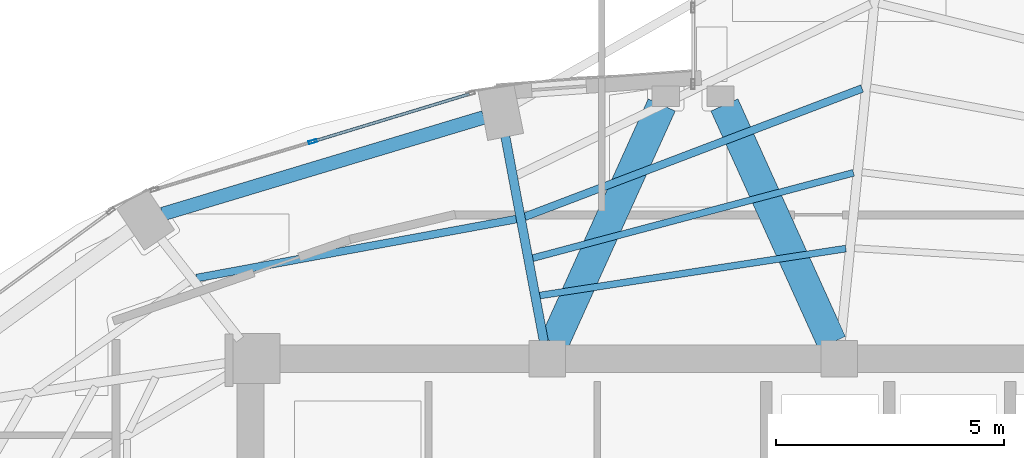
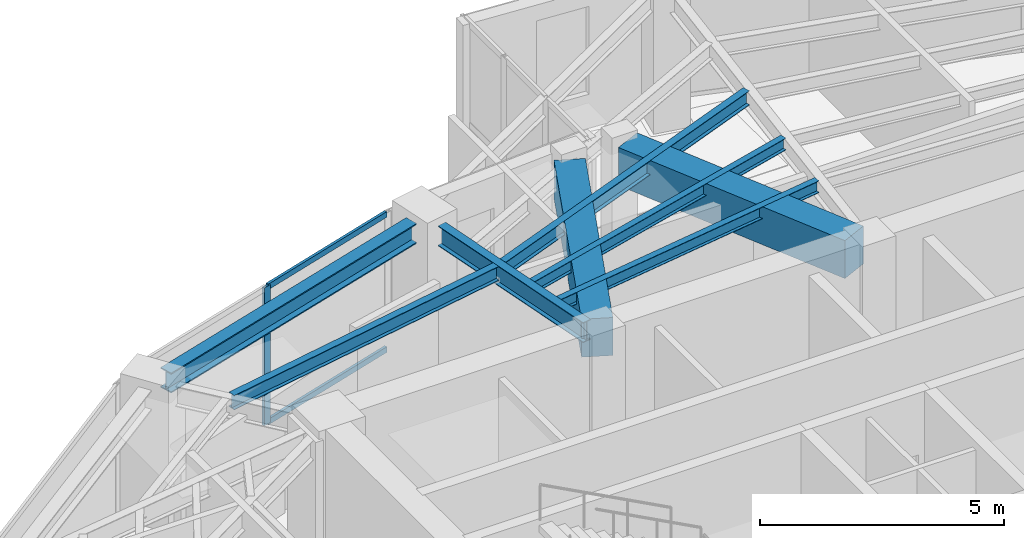
# One storey, part 11 of 23: 8 beams, 3 members, 1 element without a shape of its own.
"""IFC4 building model written with IfcOpenShell, lengths in metres."""

from ifc_helpers import new_model, si_unit, direction, frame, origin, origin_2d, place, context, subcontext, project, spatial, rectangle, hollow_rectangle, i_section, extrude, material, layer, layer_set, material_profile, profile_set, type_object, element, aggregate, save


model = new_model("IFC4")

# Units and contexts
model_context = context("Model", 3, precision=1e-05, world=origin(), true_north=direction((0.0, 1.0)))
body_context = subcontext(model_context, "Body", "Model", "MODEL_VIEW")
ifc_project = project(units=[si_unit("LENGTHUNIT", "METRE"), si_unit("AREAUNIT", "SQUARE_METRE"), si_unit("VOLUMEUNIT", "CUBIC_METRE"), si_unit("PLANEANGLEUNIT", "RADIAN"), si_unit("MASSUNIT", "GRAM", prefix="KILO")], contexts=[model_context])

# Site, building, storey
site_placement = place(None, origin())
site = spatial("IfcSite", under=ifc_project, at=site_placement, CompositionType="ELEMENT")
building_placement = place(site_placement, origin())
building = spatial("IfcBuilding", under=site, at=building_placement, Name="Lazwardi Medical Tower", CompositionType="ELEMENT")
storey_placement = place(building_placement, frame((0.0, 0.0, 209.424072265625)))
storey = spatial("IfcBuildingStorey", under=building, at=storey_placement, Name="L54", CompositionType="ELEMENT", Elevation=209.424072265625)

# Beams
ifc_material_1 = material(Name="Concrete C60/75", Category="concrete")
ifc_material_profile_1 = material_profile(ifc_material_1, rectangle(XDim=0.64990234375, YDim=0.949951171875, at=origin_2d()), Name="RC 650x950")
ifc_profile_set_1 = profile_set([ifc_material_profile_1], Name="Concrete C60/75")
beam_type_1 = type_object("IfcBeamType", Name="BM-CB-RC2", PredefinedType="LINTEL", material=ifc_profile_set_1)
for number, where, z_axis, x_axis, name in (
    (1, (32.95849609375, 35.95068359375, 2.972900390625), (0.412019279944, 0.911175127489, 0.0), (-0.911175127489, 0.412019279944, 0.0), "Core coupling lintel CB-02 PL1 L54"),
    (2, (39.04150390625, 35.95068359375, 2.972900390625), (-0.412019279944, 0.911175127489, 0.0), (-0.911175127489, -0.412019279944, 0.0), "Core coupling lintel CB-02 PL2 L54"),
):
    element("IfcBeam", number, at=place(storey_placement, frame(where, z_axis=z_axis, x_axis=x_axis)), inside=storey, type_object=beam_type_1, Name=name, PredefinedType="LINTEL", context=body_context, shape_type="SweptSolid", body=[
        extrude(rectangle(XDim=0.64990234375, YDim=0.949951171875, at=origin_2d()), origin(), (0.0, 0.0, 1.0), 5.7158203125),
    ])
ifc_material_2 = material(Name="Steel S355", Category="steel")
ifc_material_profile_2 = material_profile(ifc_material_2, i_section(OverallWidth=0.300048828125, OverallDepth=0.5, WebThickness=0.014404296875, FlangeThickness=0.028076171875, at=origin_2d()), Name="HEB 500")
ifc_profile_set_2 = profile_set([ifc_material_profile_2], Name="Steel S355")
beam_type_2 = type_object("IfcBeamType", Name="BM-RB-Z4", PredefinedType="BEAM", material=ifc_profile_set_2)
beam_1_placement = place(storey_placement, frame((31.41259765625, 40.885986328125, 3.197998046875), z_axis=(-0.957544311906, -0.288286126506, 0.0), x_axis=(0.288286126506, -0.957544311906, 0.0)))
element("IfcBeam", 3, at=beam_1_placement, inside=storey, type_object=beam_type_2, Name="Ring beam RB-05 B09 L54", PredefinedType="BEAM", context=body_context, shape_type="SweptSolid", body=[
    extrude(i_section(OverallWidth=0.300048828125, OverallDepth=0.5, WebThickness=0.014404296875, FlangeThickness=0.028076171875, at=origin_2d()), origin(), (0.0, 0.0, 1.0), 7.3515625),
])
ifc_material_profile_3 = material_profile(ifc_material_2, i_section(OverallWidth=0.199951171875, OverallDepth=0.5, WebThickness=0.01025390625, FlangeThickness=0.01611328125, at=origin_2d()), Name="IPE 500")
ifc_profile_set_3 = profile_set([ifc_material_profile_3], Name="Steel S355")
beam_type_3 = type_object("IfcBeamType", Name="BM-RG-W3", PredefinedType="BEAM", material=ifc_profile_set_3)
beam_2_placement = place(storey_placement, frame((31.884765625, 40.472412109375, 3.197998046875), z_axis=(0.184633463507, -0.982807450192, 0.0), x_axis=(0.982807450192, 0.184633463507, 0.0)))
element("IfcBeam", 4, at=beam_2_placement, inside=storey, type_object=beam_type_3, Name="Radial girder RG-04 R09 L54", PredefinedType="BEAM", context=body_context, shape_type="SweptSolid", body=[
    extrude(i_section(OverallWidth=0.199951171875, OverallDepth=0.5, WebThickness=0.01025390625, FlangeThickness=0.01611328125, at=origin_2d()), origin(), (0.0, 0.0, 1.0), 4.572509765625),
])
ifc_material_profile_4 = material_profile(ifc_material_2, i_section(OverallWidth=0.169921875, OverallDepth=0.360107421875, WebThickness=0.008056640625, FlangeThickness=0.0126953125, at=origin_2d()), Name="IPE 360")
ifc_profile_set_4 = profile_set([ifc_material_profile_4], Name="Steel S355")
beam_type_4 = type_object("IfcBeamType", Name="BM-SJ-02", PredefinedType="JOIST", material=ifc_profile_set_4)
beam_3_placement = place(storey_placement, frame((39.703125, 41.51904296875, 3.267822265625), z_axis=(-0.934714470268, -0.355399576633, 0.0), x_axis=(0.355399576633, -0.934714470268, 0.0)))
element("IfcBeam", 5, at=beam_3_placement, inside=storey, type_object=beam_type_4, Name="Secondary joist SJ-02 R2 B08 L54", PredefinedType="JOIST", context=body_context, shape_type="SweptSolid", body=[
    extrude(i_section(OverallWidth=0.169921875, OverallDepth=0.360107421875, WebThickness=0.008056640625, FlangeThickness=0.0126953125, at=origin_2d()), origin(), (0.0, 0.0, 1.0), 7.908203125),
])
beam_4_placement = place(storey_placement, frame((32.12890625, 38.65771484375, 3.267822265625), z_axis=(-0.983427965623, -0.181299300688, 0.0), x_axis=(0.181299300688, -0.983427965623, 0.0)))
element("IfcBeam", 6, at=beam_4_placement, inside=storey, type_object=beam_type_4, Name="Secondary joist SJ-02 R2 B09 L54", PredefinedType="JOIST", context=body_context, shape_type="SweptSolid", body=[
    extrude(i_section(OverallWidth=0.169921875, OverallDepth=0.360107421875, WebThickness=0.008056640625, FlangeThickness=0.0126953125, at=origin_2d()), origin(), (0.0, 0.0, 1.0), 7.127685546875),
])
ifc_material_profile_5 = material_profile(ifc_material_2, i_section(OverallWidth=0.14990234375, OverallDepth=0.300048828125, WebThickness=0.007080078125, FlangeThickness=0.0107421875, at=origin_2d()), Name="IPE 300")
ifc_profile_set_5 = profile_set([ifc_material_profile_5], Name="Steel S355")
beam_type_5 = type_object("IfcBeamType", Name="BM-SJ-03", PredefinedType="JOIST", material=ifc_profile_set_5)
beam_5_placement = place(storey_placement, frame((39.515380859375, 39.671875, 3.2978515625), z_axis=(-0.966369007826, -0.257159368316, 0.0), x_axis=(0.257159368316, -0.966369007826, 0.0)))
element("IfcBeam", 7, at=beam_5_placement, inside=storey, type_object=beam_type_5, Name="Secondary joist SJ-03 R3 B08 L54", PredefinedType="JOIST", context=body_context, shape_type="SweptSolid", body=[
    extrude(i_section(OverallWidth=0.14990234375, OverallDepth=0.300048828125, WebThickness=0.007080078125, FlangeThickness=0.0107421875, at=origin_2d()), origin(), (0.0, 0.0, 1.0), 7.27685546875),
])
beam_6_placement = place(storey_placement, frame((39.347412109375, 38.010986328125, 3.2978515625), z_axis=(-0.988433562862, -0.151654514629, 0.0), x_axis=(0.151654514629, -0.988433562862, 0.0)))
element("IfcBeam", 8, at=beam_6_placement, inside=storey, type_object=beam_type_5, Name="Secondary joist SJ-03 R4 B08 L54", PredefinedType="JOIST", context=body_context, shape_type="SweptSolid", body=[
    extrude(i_section(OverallWidth=0.14990234375, OverallDepth=0.300048828125, WebThickness=0.007080078125, FlangeThickness=0.0107421875, at=origin_2d()), origin(), (0.0, 0.0, 1.0), 6.788818359375),
])

# Curtain wall, members
ifc_material_3 = material(Name="Anodised bronze aluminium and solar control glazing", Category="aluminium")
ifc_layer = layer(ifc_material_3, 0.18994140625)
ifc_layer_set = layer_set([ifc_layer], Name="Anodised bronze aluminium and solar control glazing")
curtain_wall_type = type_object("IfcCurtainWallType", Name="CW-SYS-04", PredefinedType="NOTDEFINED", material=ifc_layer_set)
curtain_wall_placement = place(storey_placement, origin())
curtain_wall = element("IfcCurtainWall", 9, at=curtain_wall_placement, inside=storey, type_object=curtain_wall_type, Name="L54 Unitised bronze curtain wall CW-04", PredefinedType="NOTDEFINED")
ifc_material_4 = material(Name="Anodised bronze aluminium", Category="aluminium")
ifc_material_profile_6 = material_profile(ifc_material_4, hollow_rectangle(XDim=0.06494140625, YDim=0.179931640625, WallThickness=0.00390625, at=origin_2d()), Name="ALU-MULLION 180x65x4")
ifc_profile_set_6 = profile_set([ifc_material_profile_6], Name="Anodised bronze aluminium")
member_type_1 = type_object("IfcMemberType", Name="CW-MUL-03", PredefinedType="MULLION", material=ifc_profile_set_6)
member_1_placement = place(storey_placement, frame((27.66357421875, 40.355224609375, 0.0), z_axis=(0.0, 0.0, 1.0), x_axis=(0.290581889515, -0.956850126972, 0.0)))
member_1 = element("IfcMember", 10, at=member_1_placement, type_object=member_type_1, Name="CW-04 mullion 2", PredefinedType="MULLION", context=body_context, shape_type="SweptSolid", body=[
    extrude(hollow_rectangle(XDim=0.06494140625, YDim=0.179931640625, WallThickness=0.00390625, at=origin_2d()), origin(), (0.0, 0.0, 1.0), 3.447998046875),
])
ifc_material_profile_7 = material_profile(ifc_material_4, hollow_rectangle(XDim=0.06494140625, YDim=0.139892578125, WallThickness=0.00341796875, at=origin_2d()), Name="ALU-TRANSOM 140x65x3.5")
ifc_profile_set_7 = profile_set([ifc_material_profile_7], Name="Anodised bronze aluminium")
member_type_2 = type_object("IfcMemberType", Name="CW-TRN-03", PredefinedType="USERDEFINED", material=ifc_profile_set_7)
member_2_placement = place(storey_placement, frame((31.095703125, 41.397705078125, 0.032470703125), z_axis=(-0.956843409009, -0.290604010015, 0.0), x_axis=(0.290604010015, -0.956843409009, 0.0)))
member_2 = element("IfcMember", 11, at=member_2_placement, type_object=member_type_2, Name="CW-04 transom 1.1", ObjectType="TRANSOM", PredefinedType="USERDEFINED", context=body_context, shape_type="SweptSolid", body=[
    extrude(hollow_rectangle(XDim=0.06494140625, YDim=0.139892578125, WallThickness=0.00341796875, at=origin_2d()), origin(), (0.0, 0.0, 1.0), 3.554443359375),
])
member_3_placement = place(storey_placement, frame((31.095703125, 41.397705078125, 3.41552734375), z_axis=(-0.956843409009, -0.290604010015, 0.0), x_axis=(0.290604010015, -0.956843409009, 0.0)))
member_3 = element("IfcMember", 12, at=member_3_placement, type_object=member_type_2, Name="CW-04 transom 1.2", ObjectType="TRANSOM", PredefinedType="USERDEFINED", context=body_context, shape_type="SweptSolid", body=[
    extrude(hollow_rectangle(XDim=0.06494140625, YDim=0.139892578125, WallThickness=0.00341796875, at=origin_2d()), origin(), (0.0, 0.0, 1.0), 3.554443359375),
])
aggregate(curtain_wall, [member_1, member_2, member_3])

save(model, "model.ifc")
